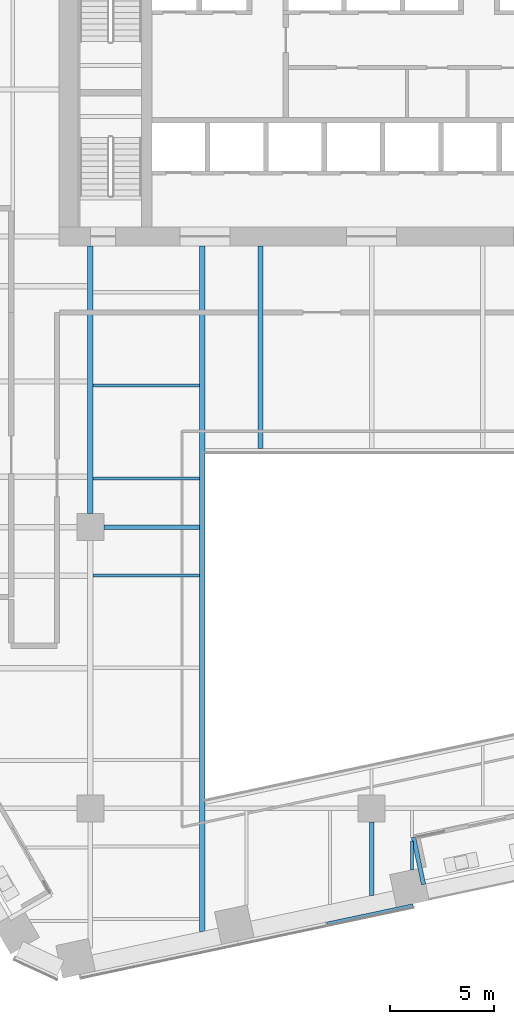
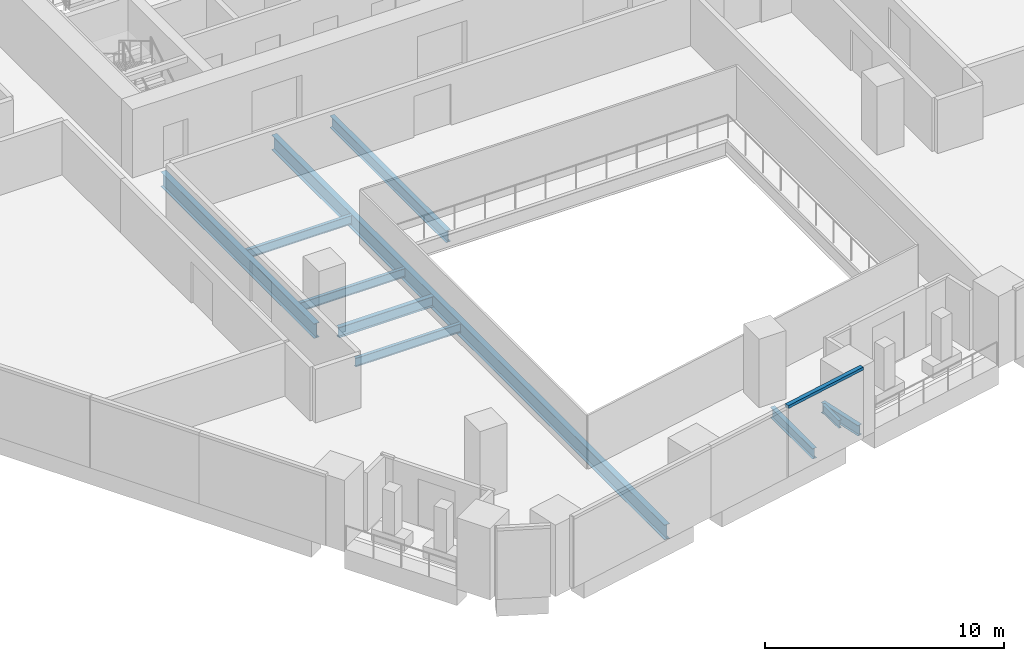
# One storey, part 5 of 28: 10 beams, 1 member, 1 element without a shape of its own.
"""IFC4 building model written with IfcOpenShell, lengths in metres."""

from ifc_helpers import new_model, si_unit, direction, frame, origin, origin_2d, place, context, subcontext, project, spatial, rectangle, i_section, extrude, material, layer, layer_set, material_profile, profile_set, type_object, element, aggregate, save


model = new_model("IFC4")

# Units and contexts
model_context = context("Model", 3, precision=1e-05, world=origin(), true_north=direction((0.0, 1.0)))
body_context = subcontext(model_context, "Body", "Model", "MODEL_VIEW")
ifc_project = project(units=[si_unit("LENGTHUNIT", "METRE"), si_unit("AREAUNIT", "SQUARE_METRE"), si_unit("VOLUMEUNIT", "CUBIC_METRE"), si_unit("PLANEANGLEUNIT", "RADIAN"), si_unit("MASSUNIT", "GRAM", prefix="KILO")], contexts=[model_context])

# Site, building, storey
site_placement = place(None, origin())
site = spatial("IfcSite", under=ifc_project, at=site_placement, CompositionType="ELEMENT")
building_placement = place(site_placement, origin())
building = spatial("IfcBuilding", under=site, at=building_placement, Name="Isthmus Gate Tower", CompositionType="ELEMENT")
storey_placement = place(building_placement, frame((0.0, 0.0, 84.300048828125)))
storey = spatial("IfcBuildingStorey", under=building, at=storey_placement, Name="L19", CompositionType="ELEMENT", Elevation=84.300048828125)

# Curtain wall, member
ifc_material_1 = material(Name="Aluminium, pale champagne anodised", Category="aluminium")
ifc_layer = layer(ifc_material_1, 0.199951171875)
ifc_layer_set = layer_set([ifc_layer], Name="CW-1 UNITISED CURTAIN WALL 200 DEEP")
curtain_wall_type = type_object("IfcCurtainWallType", Name="CW-1 UNITISED CURTAIN WALL 200 DEEP", PredefinedType="NOTDEFINED", material=ifc_layer_set)
curtain_wall_placement = place(storey_placement, origin())
curtain_wall = element("IfcCurtainWall", 1, at=curtain_wall_placement, inside=storey, type_object=curtain_wall_type, Name="CW-1 S L19", PredefinedType="NOTDEFINED")
ifc_material_2 = material(Name="Aluminium, pale champagne anodised", Category="aluminium")
ifc_material_profile_1 = material_profile(ifc_material_2, rectangle(XDim=0.199951171875, YDim=0.14990234375, at=origin_2d()), Name="200x150")
ifc_profile_set_1 = profile_set([ifc_material_profile_1], Name="Aluminium, pale champagne anodised")
member_type = type_object("IfcMemberType", Name="CW-1 TRANSOM 200 X 150", PredefinedType="USERDEFINED", material=ifc_profile_set_1)
member_placement = place(storey_placement, frame((-2.1435546875, -32.557861328125, 3.574951171875), z_axis=(0.978150351608, 0.20789874855, 0.0), x_axis=(-0.20789874855, 0.978150351608, 0.0)))
member = element("IfcMember", 2, at=member_placement, type_object=member_type, Name="CW-1 transom", ObjectType="TRANSOM", PredefinedType="USERDEFINED", context=body_context, shape_type="SweptSolid", body=[
    extrude(rectangle(XDim=0.199951171875, YDim=0.14990234375, at=origin_2d()), origin(), (0.0, 0.0, 1.0), 4.234619140625),
])
aggregate(curtain_wall, [member])

# Beams
ifc_material_3 = material(Name="Structural steel ASTM A992 Gr 50", Category="steel")
ifc_material_profile_2 = material_profile(ifc_material_3, i_section(OverallWidth=0.1396484375, OverallDepth=0.4033203125, WebThickness=0.00634765625, FlangeThickness=0.010986328125, at=origin_2d()), Name="W16X31")
ifc_profile_set_2 = profile_set([ifc_material_profile_2], Name="Structural steel ASTM A992 Gr 50")
beam_type_1 = type_object("IfcBeamType", Name="STEEL FLOOR BEAM W16X31", PredefinedType="JOIST", material=ifc_profile_set_2)
beam_1_placement = place(storey_placement, frame((1.942626953125, -29.951416015625, -0.3515625), z_axis=(0.0, 1.0, 0.0), x_axis=(-1.0, 0.0, 0.0)))
element("IfcBeam", 3, at=beam_1_placement, inside=storey, type_object=beam_type_1, Name="str-beam-L19-20-00", PredefinedType="JOIST", context=body_context, shape_type="SweptSolid", body=[
    extrude(i_section(OverallWidth=0.1396484375, OverallDepth=0.4033203125, WebThickness=0.00634765625, FlangeThickness=0.010986328125, at=origin_2d()), origin(), (0.0, 0.0, 1.0), 1.37646484375),
])
ifc_material_4 = material(Name="Structural steel ASTM A992 Gr 50", Category="steel")
ifc_material_profile_3 = material_profile(ifc_material_4, i_section(OverallWidth=0.15234375, OverallDepth=0.45068359375, WebThickness=0.0078125, FlangeThickness=0.010986328125, at=origin_2d()), Name="W18X35")
ifc_profile_set_3 = profile_set([ifc_material_profile_3], Name="Structural steel ASTM A992 Gr 50")
beam_type_2 = type_object("IfcBeamType", Name="STEEL FLOOR BEAM W18X35", PredefinedType="JOIST", material=ifc_profile_set_3)
for number, where, z_axis, x_axis, name in (
    (4, (-13.3681640625, -11.16259765625, -0.37548828125), (1.0, 0.0, 0.0), (0.0, 1.0, 0.0), "str-beam-L19-14-00"),
    (5, (-13.3681640625, -6.697509765625, -0.37548828125), (1.0, 0.0, 0.0), (0.0, 1.0, 0.0), "str-beam-L19-14-01"),
    (6, (-13.3681640625, -15.81982421875, -0.37548828125), (1.0, 0.0, 0.0), (0.0, 1.0, 0.0), "str-beam-L19-15-02"),
):
    element("IfcBeam", number, at=place(storey_placement, frame(where, z_axis=z_axis, x_axis=x_axis)), inside=storey, type_object=beam_type_2, Name=name, PredefinedType="JOIST", context=body_context, shape_type="SweptSolid", body=[
        extrude(i_section(OverallWidth=0.15234375, OverallDepth=0.45068359375, WebThickness=0.0078125, FlangeThickness=0.010986328125, at=origin_2d()), origin(), (0.0, 0.0, 1.0), 5.1015625),
    ])
ifc_material_5 = material(Name="Structural steel ASTM A992 Gr 50", Category="steel")
ifc_material_profile_4 = material_profile(ifc_material_5, i_section(OverallWidth=0.228515625, OverallDepth=0.603271484375, WebThickness=0.010986328125, FlangeThickness=0.014404296875, at=origin_2d()), Name="W24X68")
ifc_profile_set_4 = profile_set([ifc_material_profile_4], Name="Structural steel ASTM A992 Gr 50")
beam_type_3 = type_object("IfcBeamType", Name="STEEL FLOOR BEAM W24X68", PredefinedType="JOIST", material=ifc_profile_set_4)
beam_2_placement = place(storey_placement, frame((-5.333251953125, -9.7333984375, -0.45166015625), z_axis=(0.0, 1.0, 0.0), x_axis=(-1.0, 0.0, 0.0)))
element("IfcBeam", 7, at=beam_2_placement, inside=storey, type_object=beam_type_3, Name="str-beam-L19-19-00", PredefinedType="JOIST", context=body_context, shape_type="SweptSolid", body=[
    extrude(i_section(OverallWidth=0.228515625, OverallDepth=0.603271484375, WebThickness=0.010986328125, FlangeThickness=0.014404296875, at=origin_2d()), origin(), (0.0, 0.0, 1.0), 9.7333984375),
])
ifc_material_6 = material(Name="Structural steel ASTM A992 Gr 50", Category="steel")
ifc_material_profile_5 = material_profile(ifc_material_6, i_section(OverallWidth=0.20947265625, OverallDepth=0.533447265625, WebThickness=0.009521484375, FlangeThickness=0.015869140625, at=origin_2d()), Name="W21X62")
ifc_profile_set_5 = profile_set([ifc_material_profile_5], Name="Structural steel ASTM A992 Gr 50")
beam_type_4 = type_object("IfcBeamType", Name="STEEL GIRDER W21X62", PredefinedType="BEAM", material=ifc_profile_set_5)
beam_3_placement = place(storey_placement, frame((-12.85009765625, -13.5, -0.416748046875), z_axis=(1.0, 0.0, 0.0), x_axis=(0.0, 1.0, 0.0)))
element("IfcBeam", 8, at=beam_3_placement, inside=storey, type_object=beam_type_4, Name="str-girder-L19-06", PredefinedType="BEAM", context=body_context, shape_type="SweptSolid", body=[
    extrude(i_section(OverallWidth=0.20947265625, OverallDepth=0.533447265625, WebThickness=0.009521484375, FlangeThickness=0.015869140625, at=origin_2d()), origin(), (0.0, 0.0, 1.0), 4.58349609375),
])
beam_4_placement = place(storey_placement, frame((0.0, -31.18212890625, -0.416748046875), z_axis=(0.0, 1.0, 0.0), x_axis=(-1.0, 0.0, 0.0)))
element("IfcBeam", 9, at=beam_4_placement, inside=storey, type_object=beam_type_4, Name="str-girder-L19-29", PredefinedType="BEAM", context=body_context, shape_type="SweptSolid", body=[
    extrude(i_section(OverallWidth=0.20947265625, OverallDepth=0.533447265625, WebThickness=0.009521484375, FlangeThickness=0.015869140625, at=origin_2d()), origin(), (0.0, 0.0, 1.0), 3.5322265625),
])
ifc_material_7 = material(Name="Structural steel ASTM A992 Gr 50", Category="steel")
ifc_material_profile_6 = material_profile(ifc_material_7, i_section(OverallWidth=0.263427734375, OverallDepth=0.749267578125, WebThickness=0.0126953125, FlangeThickness=0.015869140625, at=origin_2d()), Name="W30X90")
ifc_profile_set_6 = profile_set([ifc_material_profile_6], Name="Structural steel ASTM A992 Gr 50")
beam_type_5 = type_object("IfcBeamType", Name="STEEL GIRDER W30X90", PredefinedType="BEAM", material=ifc_profile_set_6)
beam_5_placement = place(storey_placement, frame((-13.5, -12.85009765625, -0.524658203125), z_axis=(0.0, 1.0, 0.0), x_axis=(-1.0, 0.0, 0.0)))
element("IfcBeam", 10, at=beam_5_placement, inside=storey, type_object=beam_type_5, Name="str-girder-L19-26", PredefinedType="BEAM", context=body_context, shape_type="SweptSolid", body=[
    extrude(i_section(OverallWidth=0.263427734375, OverallDepth=0.749267578125, WebThickness=0.0126953125, FlangeThickness=0.015869140625, at=origin_2d()), origin(), (0.0, 0.0, 1.0), 12.85009765625),
])
ifc_material_8 = material(Name="Structural steel ASTM A992 Gr 50", Category="steel")
ifc_material_profile_7 = material_profile(ifc_material_8, i_section(OverallWidth=0.20947265625, OverallDepth=0.533447265625, WebThickness=0.009521484375, FlangeThickness=0.015869140625, at=origin_2d()), Name="W21X62")
ifc_profile_set_7 = profile_set([ifc_material_profile_7], Name="Structural steel ASTM A992 Gr 50")
beam_type_6 = type_object("IfcBeamType", Name="STEEL TRIMMER W21X62", PredefinedType="BEAM", material=ifc_profile_set_7)
beam_6_placement = place(storey_placement, frame((2.491455078125, -30.652587890625, -0.416748046875), z_axis=(-0.207929410801, 0.978143834067, 0.0), x_axis=(-0.978143834067, -0.207929410801, 0.0)))
element("IfcBeam", 11, at=beam_6_placement, inside=storey, type_object=beam_type_6, Name="str-loggiatrim-L19-04-A", PredefinedType="BEAM", context=body_context, shape_type="SweptSolid", body=[
    extrude(i_section(OverallWidth=0.20947265625, OverallDepth=0.533447265625, WebThickness=0.009521484375, FlangeThickness=0.015869140625, at=origin_2d()), origin(), (0.0, 0.0, 1.0), 2.314208984375),
])
ifc_material_9 = material(Name="Structural steel ASTM A992 Gr 50", Category="steel")
ifc_material_profile_8 = material_profile(ifc_material_9, i_section(OverallWidth=0.2666015625, OverallDepth=0.7587890625, WebThickness=0.014404296875, FlangeThickness=0.01904296875, at=origin_2d()), Name="W30X108")
ifc_profile_set_8 = profile_set([ifc_material_profile_8], Name="Structural steel ASTM A992 Gr 50")
beam_type_7 = type_object("IfcBeamType", Name="STEEL TRIMMER W30X108", PredefinedType="BEAM", material=ifc_profile_set_8)
beam_7_placement = place(storey_placement, frame((-8.13330078125, 0.0, -0.529541015625), z_axis=(0.0, -1.0, 0.0), x_axis=(1.0, 0.0, 0.0)))
element("IfcBeam", 12, at=beam_7_placement, inside=storey, type_object=beam_type_7, Name="str-trimmer-L19-02", PredefinedType="BEAM", context=body_context, shape_type="SweptSolid", body=[
    extrude(i_section(OverallWidth=0.2666015625, OverallDepth=0.7587890625, WebThickness=0.014404296875, FlangeThickness=0.01904296875, at=origin_2d()), origin(), (0.0, 0.0, 1.0), 32.910888671875),
])

save(model, "model.ifc")
